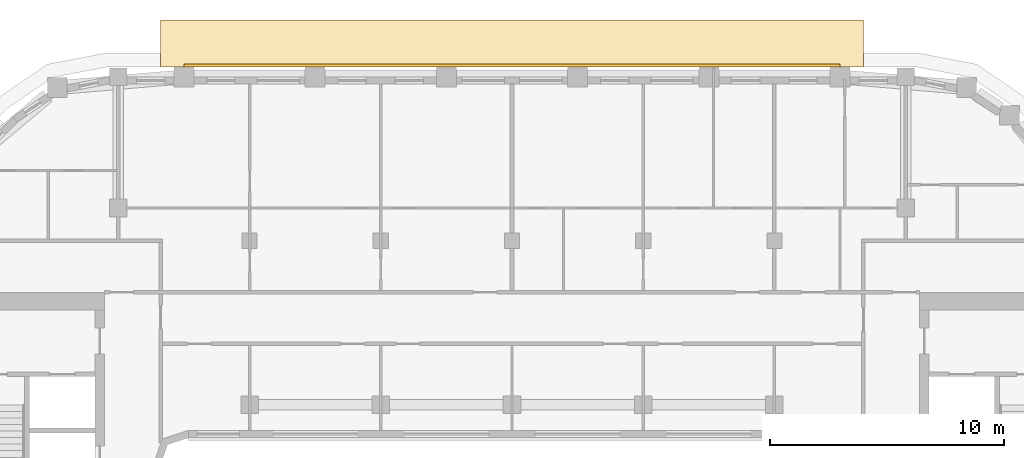
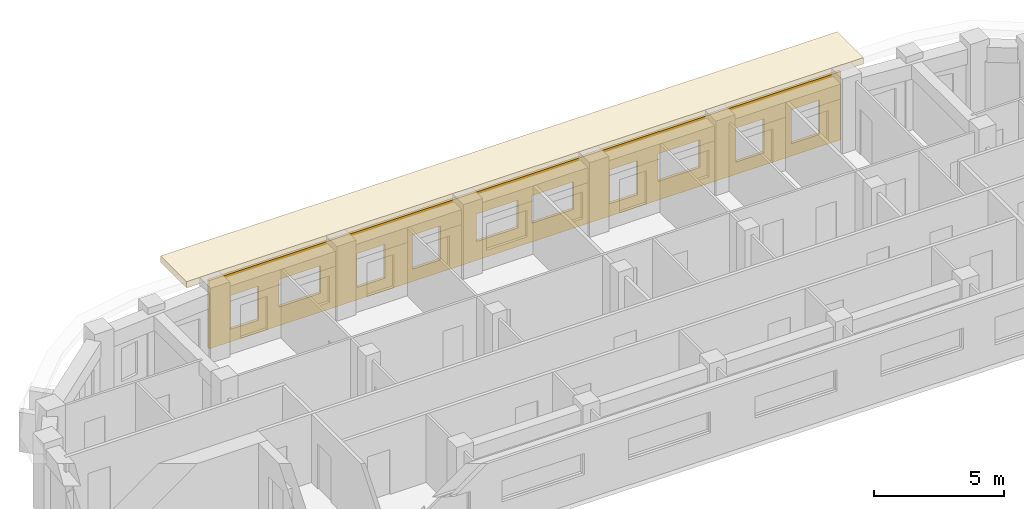
# One storey, part 20 of 21: 2 coverings.
"""IFC4 building model written with IfcOpenShell, lengths in metres."""

from ifc_helpers import new_model, si_unit, direction, frame, origin, place, context, subcontext, project, spatial, polyline, outline, extrude, material, layer, layer_set, type_object, element, save


model = new_model("IFC4")

# Units and contexts
model_context = context("Model", 3, precision=1e-05, world=origin(), true_north=direction((0.0, 1.0)))
body_context = subcontext(model_context, "Body", "Model", "MODEL_VIEW")
ifc_project = project(units=[si_unit("LENGTHUNIT", "METRE"), si_unit("AREAUNIT", "SQUARE_METRE"), si_unit("VOLUMEUNIT", "CUBIC_METRE"), si_unit("PLANEANGLEUNIT", "RADIAN"), si_unit("MASSUNIT", "GRAM", prefix="KILO")], contexts=[model_context])

# Site, building, storey
site_placement = place(None, origin())
site = spatial("IfcSite", under=ifc_project, at=site_placement, CompositionType="ELEMENT")
building_placement = place(site_placement, origin())
building = spatial("IfcBuilding", under=site, at=building_placement, Name="Kiln Ring Residences", CompositionType="ELEMENT")
storey_placement = place(building_placement, frame((0.0, 0.0, 216.89990234375)))
storey = spatial("IfcBuildingStorey", under=building, at=storey_placement, Name="L56", CompositionType="ELEMENT", Elevation=216.89990234375)

# Coverings
ifc_material_1 = material(Name="Brick masonry, dark clay brick", Category="masonry")
ifc_layer_1 = layer(ifc_material_1, 0.1201171875)
ifc_layer_set_1 = layer_set([ifc_layer_1], Name="RAINSCREEN PANEL 120")
covering_type_1 = type_object("IfcCoveringType", Name="RAINSCREEN PANEL 120", PredefinedType="CLADDING", material=ifc_layer_set_1)
covering_1_placement = place(storey_placement, frame((14.0, 22.885009765625, 0.0), z_axis=(0.0, 0.0, 1.0), x_axis=(-1.0, 0.0, 0.0)))
element("IfcCovering", 1, at=covering_1_placement, inside=storey, type_object=covering_type_1, Name="RAINSCREEN L56", PredefinedType="CLADDING", context=body_context, shape_type="SweptSolid", body=[
    extrude(outline(polyline([(0.0, 0.0), (28.0, 0.0), (28.0, 3.2001953125), (0.0, 3.2001953125), (0.0, 0.0)]), holes=[polyline([(0.955078125, 0.580078125), (2.195068359375, 0.580078125), (2.195068359375, 2.170166015625), (0.955078125, 2.170166015625), (0.955078125, 0.580078125)]), polyline([(3.405029296875, 0.580078125), (4.64501953125, 0.580078125), (4.64501953125, 2.170166015625), (3.405029296875, 2.170166015625), (3.405029296875, 0.580078125)]), polyline([(9.0048828125, 0.580078125), (10.2451171875, 0.580078125), (10.2451171875, 2.170166015625), (9.0048828125, 2.170166015625), (9.0048828125, 0.580078125)]), polyline([(17.7548828125, 2.170166015625), (17.7548828125, 0.580078125), (18.9951171875, 0.580078125), (18.9951171875, 2.170166015625), (17.7548828125, 2.170166015625)]), polyline([(20.205078125, 2.170166015625), (20.205078125, 0.580078125), (21.445068359375, 0.580078125), (21.445068359375, 2.170166015625), (20.205078125, 2.170166015625)]), polyline([(25.804931640625, 0.580078125), (27.044921875, 0.580078125), (27.044921875, 2.170166015625), (25.804931640625, 2.170166015625), (25.804931640625, 0.580078125)]), polyline([(6.2548828125, 0.880126953125), (8.094970703125, 0.880126953125), (8.094970703125, 2.170166015625), (6.2548828125, 2.170166015625), (6.2548828125, 0.880126953125)]), polyline([(11.85498046875, 0.880126953125), (13.695068359375, 0.880126953125), (13.695068359375, 2.170166015625), (11.85498046875, 2.170166015625), (11.85498046875, 0.880126953125)]), polyline([(14.304931640625, 2.170166015625), (14.304931640625, 0.880126953125), (16.14501953125, 0.880126953125), (16.14501953125, 2.170166015625), (14.304931640625, 2.170166015625)]), polyline([(23.054931640625, 2.170166015625), (23.054931640625, 0.880126953125), (24.89501953125, 0.880126953125), (24.89501953125, 2.170166015625), (23.054931640625, 2.170166015625)])]), frame((0.0, 0.06005859375, 0.0), z_axis=(0.0, -1.0, 0.0), x_axis=(1.0, 0.0, 0.0)), (0.0, 0.0, 1.0), 0.1201171875),
])
ifc_material_2 = material(Name="Black powder-coated steel", Category="steel")
ifc_layer_2 = layer(ifc_material_2, 0.300048828125)
ifc_layer_set_2 = layer_set([ifc_layer_2], Name="SUNSHADE BAND 2000")
covering_type_2 = type_object("IfcCoveringType", Name="SUNSHADE BAND 2000", PredefinedType="CLADDING", material=ifc_layer_set_2)
covering_2_placement = place(storey_placement, frame((0.0, 0.0, 3.2001953125)))
element("IfcCovering", 2, at=covering_2_placement, inside=storey, type_object=covering_type_2, Name="SUNSHADE BAND L56", PredefinedType="CLADDING", context=body_context, shape_type="SweptSolid", body=[
    extrude(outline(polyline([(15.0, 24.824951171875), (-15.0, 24.824951171875), (-15.0, 22.824951171875), (15.0, 22.824951171875), (15.0, 24.824951171875)])), origin(), (0.0, 0.0, 1.0), 0.2998046875),
])

save(model, "model.ifc")
